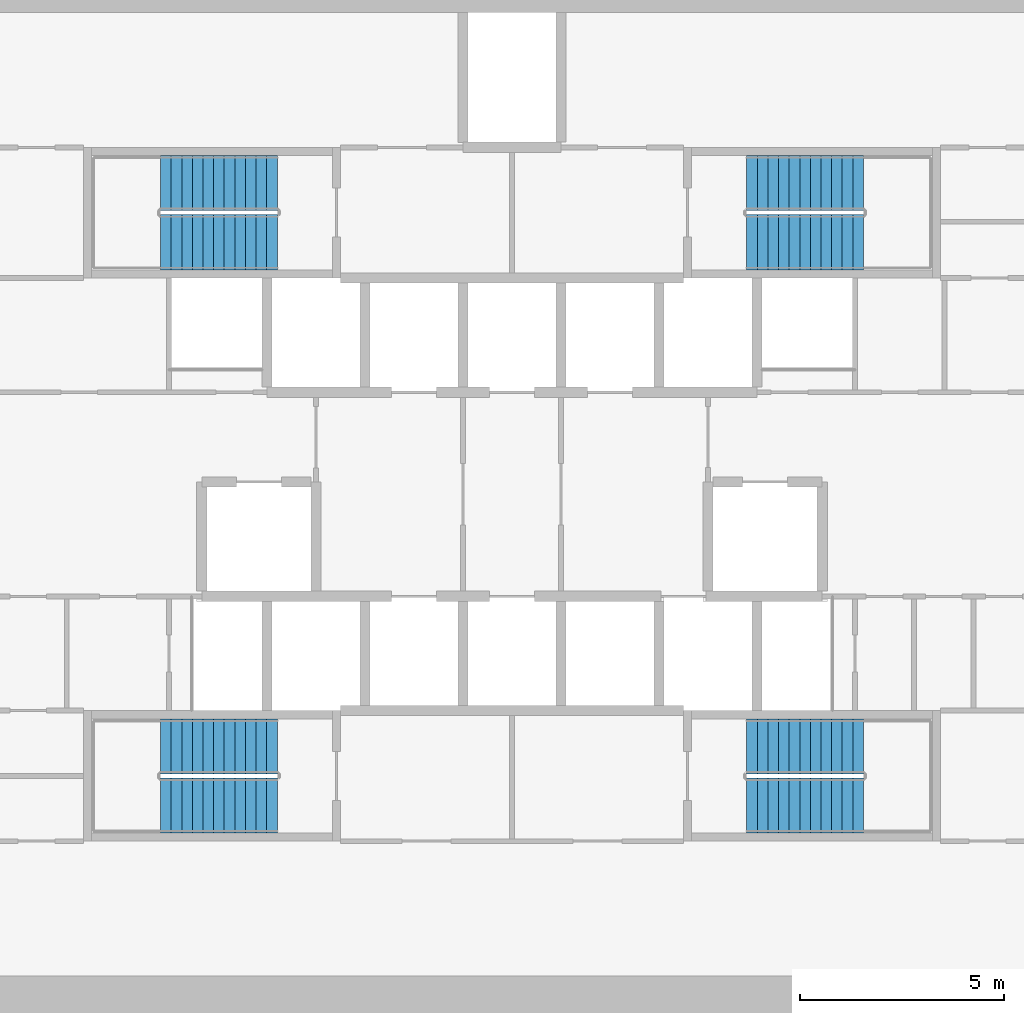
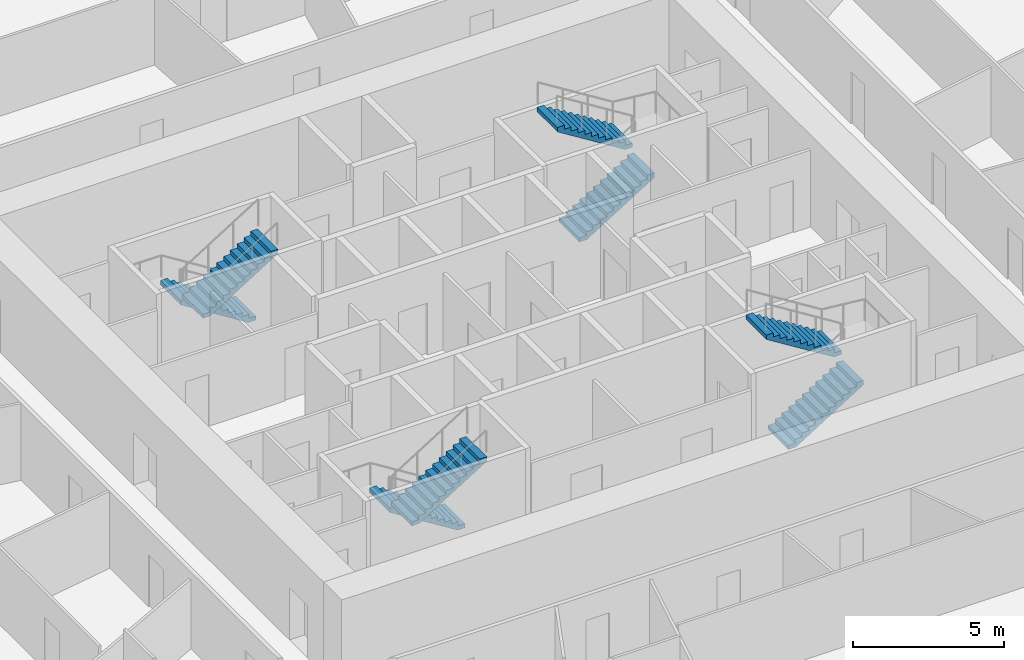
# One storey, part 10 of 11: 8 stair flights, 4 elements without a shape of their own.
"""IFC4 building model written with IfcOpenShell, lengths in metres."""

from ifc_helpers import new_model, si_unit, direction, frame, origin, place, context, subcontext, project, spatial, polyline, outline, extrude, source, transform, mapped, material, type_object, element, aggregate, save


model = new_model("IFC4")

# Units and contexts
model_context = context("Model", 3, precision=1e-05, world=origin(), true_north=direction((0.0, 1.0)))
body_context = subcontext(model_context, "Body", "Model", "MODEL_VIEW")
ifc_project = project(units=[si_unit("LENGTHUNIT", "METRE"), si_unit("AREAUNIT", "SQUARE_METRE"), si_unit("VOLUMEUNIT", "CUBIC_METRE"), si_unit("PLANEANGLEUNIT", "RADIAN"), si_unit("MASSUNIT", "GRAM", prefix="KILO")], contexts=[model_context])

# Site, building, storey
site_placement = place(None, origin())
site = spatial("IfcSite", under=ifc_project, at=site_placement, CompositionType="ELEMENT")
building_placement = place(site_placement, origin())
building = spatial("IfcBuilding", under=site, at=building_placement, Name="Embergate Tower", CompositionType="ELEMENT")
storey_placement = place(building_placement, frame((0.0, 0.0, 58.10009765625)))
storey = spatial("IfcBuildingStorey", under=building, at=storey_placement, Name="L10", CompositionType="ELEMENT", Elevation=58.10009765625)

# Stair, stair flights
ifc_material_1 = material(Name="Exit stair")
stair_type = type_object("IfcStairType", Name="Exit stair", PredefinedType="HALF_TURN_STAIR", material=ifc_material_1)
stair_1_placement = place(storey_placement, origin())
stair_1 = element("IfcStair", 1, at=stair_1_placement, inside=storey, type_object=stair_type, Name="L10 Exit stair 1", PredefinedType="HALF_TURN_STAIR")
ifc_material_2 = material(Name="Concrete C40", Category="concrete")
stair_flight_type = type_object("IfcStairFlightType", Name="Stair flight reinforced concrete", PredefinedType="STRAIGHT", material=ifc_material_2)
shared_shape = source(origin(), body_context, "Body", "SweptSolid", [
    extrude(outline(polyline([(0.0, 0.0), (0.0, 0.16259765625), (0.260009765625, 0.16259765625), (0.260009765625, 0.324951171875), (0.52001953125, 0.324951171875), (0.52001953125, 0.487548828125), (0.780029296875, 0.487548828125), (0.780029296875, 0.64990234375), (1.0400390625, 0.64990234375), (1.0400390625, 0.8125), (1.300048828125, 0.8125), (1.300048828125, 0.97509765625), (1.56005859375, 0.97509765625), (1.56005859375, 1.137451171875), (1.820068359375, 1.137451171875), (1.820068359375, 1.300048828125), (2.080078125, 1.300048828125), (2.080078125, 1.46240234375), (2.340087890625, 1.46240234375), (2.340087890625, 1.625), (2.60009765625, 1.625), (2.60009765625, 1.78759765625), (2.860107421875, 1.78759765625), (2.860107421875, 1.949951171875), (2.860107421875, 1.61083984375), (0.28271484375, 0.0), (0.0, 0.0)])), frame((0.0, 0.675048828125, 0.0), z_axis=(0.0, -1.0, 0.0), x_axis=(1.0, 0.0, 0.0)), (0.0, 0.0, 1.0), 1.35009765625),
])
stair_flight_1_placement = place(storey_placement, frame((-5.75, 7.625, 0.0), z_axis=(0.0, 0.0, 1.0), x_axis=(-1.0, 0.0, 0.0)))
stair_flight_1 = element("IfcStairFlight", 2, at=stair_flight_1_placement, type_object=stair_flight_type, Name="ST1 flight 1", NumberOfRisers=12, NumberOfTreads=11, PredefinedType="STRAIGHT", RiserHeight=0.1625, TreadLength=0.26, context=body_context, shape_type="MappedRepresentation", body=[
    mapped(shared_shape, transform((0.0, 0.0, 0.0))),
])
stair_flight_2_placement = place(storey_placement, frame((-8.610107421875, 6.175048828125, 1.949951171875), z_axis=(0.0, 0.0, 1.0), x_axis=(1.0, 0.0, 0.0)))
stair_flight_2 = element("IfcStairFlight", 3, at=stair_flight_2_placement, type_object=stair_flight_type, Name="ST1 flight 2", NumberOfRisers=12, NumberOfTreads=11, PredefinedType="STRAIGHT", RiserHeight=0.1625, TreadLength=0.26, context=body_context, shape_type="MappedRepresentation", body=[
    mapped(shared_shape, transform((0.0, 0.0, 0.0))),
])
aggregate(stair_1, [stair_flight_1, stair_flight_2])

stair_2_placement = place(storey_placement, origin())
stair_2 = element("IfcStair", 4, at=stair_2_placement, inside=storey, type_object=stair_type, Name="L10 Exit stair 2", PredefinedType="HALF_TURN_STAIR")
stair_flight_3_placement = place(storey_placement, frame((5.75, 6.175048828125, 0.0), z_axis=(0.0, 0.0, 1.0), x_axis=(1.0, 0.0, 0.0)))
stair_flight_3 = element("IfcStairFlight", 5, at=stair_flight_3_placement, type_object=stair_flight_type, Name="ST2 flight 1", NumberOfRisers=12, NumberOfTreads=11, PredefinedType="STRAIGHT", RiserHeight=0.1625, TreadLength=0.26, context=body_context, shape_type="MappedRepresentation", body=[
    mapped(shared_shape, transform((0.0, 0.0, 0.0))),
])
stair_flight_4_placement = place(storey_placement, frame((8.610107421875, 7.625, 1.949951171875), z_axis=(0.0, 0.0, 1.0), x_axis=(-1.0, 0.0, 0.0)))
stair_flight_4 = element("IfcStairFlight", 6, at=stair_flight_4_placement, type_object=stair_flight_type, Name="ST2 flight 2", NumberOfRisers=12, NumberOfTreads=11, PredefinedType="STRAIGHT", RiserHeight=0.1625, TreadLength=0.26, context=body_context, shape_type="MappedRepresentation", body=[
    mapped(shared_shape, transform((0.0, 0.0, 0.0))),
])
aggregate(stair_2, [stair_flight_3, stair_flight_4])

stair_3_placement = place(storey_placement, origin())
stair_3 = element("IfcStair", 7, at=stair_3_placement, inside=storey, type_object=stair_type, Name="L10 Exit stair 3", PredefinedType="HALF_TURN_STAIR")
stair_flight_5_placement = place(storey_placement, frame((-5.75, -6.175048828125, 0.0), z_axis=(0.0, 0.0, 1.0), x_axis=(-1.0, 0.0, 0.0)))
stair_flight_5 = element("IfcStairFlight", 8, at=stair_flight_5_placement, type_object=stair_flight_type, Name="ST3 flight 1", NumberOfRisers=12, NumberOfTreads=11, PredefinedType="STRAIGHT", RiserHeight=0.1625, TreadLength=0.26, context=body_context, shape_type="MappedRepresentation", body=[
    mapped(shared_shape, transform((0.0, 0.0, 0.0))),
])
stair_flight_6_placement = place(storey_placement, frame((-8.610107421875, -7.625, 1.949951171875), z_axis=(0.0, 0.0, 1.0), x_axis=(1.0, 0.0, 0.0)))
stair_flight_6 = element("IfcStairFlight", 9, at=stair_flight_6_placement, type_object=stair_flight_type, Name="ST3 flight 2", NumberOfRisers=12, NumberOfTreads=11, PredefinedType="STRAIGHT", RiserHeight=0.1625, TreadLength=0.26, context=body_context, shape_type="MappedRepresentation", body=[
    mapped(shared_shape, transform((0.0, 0.0, 0.0))),
])
aggregate(stair_3, [stair_flight_5, stair_flight_6])

stair_4_placement = place(storey_placement, origin())
stair_4 = element("IfcStair", 10, at=stair_4_placement, inside=storey, type_object=stair_type, Name="L10 Exit stair 4", PredefinedType="HALF_TURN_STAIR")
stair_flight_7_placement = place(storey_placement, frame((5.75, -7.625, 0.0), z_axis=(0.0, 0.0, 1.0), x_axis=(1.0, 0.0, 0.0)))
stair_flight_7 = element("IfcStairFlight", 11, at=stair_flight_7_placement, type_object=stair_flight_type, Name="ST4 flight 1", NumberOfRisers=12, NumberOfTreads=11, PredefinedType="STRAIGHT", RiserHeight=0.1625, TreadLength=0.26, context=body_context, shape_type="MappedRepresentation", body=[
    mapped(shared_shape, transform((0.0, 0.0, 0.0))),
])
stair_flight_8_placement = place(storey_placement, frame((8.610107421875, -6.175048828125, 1.949951171875), z_axis=(0.0, 0.0, 1.0), x_axis=(-1.0, 0.0, 0.0)))
stair_flight_8 = element("IfcStairFlight", 12, at=stair_flight_8_placement, type_object=stair_flight_type, Name="ST4 flight 2", NumberOfRisers=12, NumberOfTreads=11, PredefinedType="STRAIGHT", RiserHeight=0.1625, TreadLength=0.26, context=body_context, shape_type="MappedRepresentation", body=[
    mapped(shared_shape, transform((0.0, 0.0, 0.0))),
])
aggregate(stair_4, [stair_flight_7, stair_flight_8])

save(model, "model.ifc")
